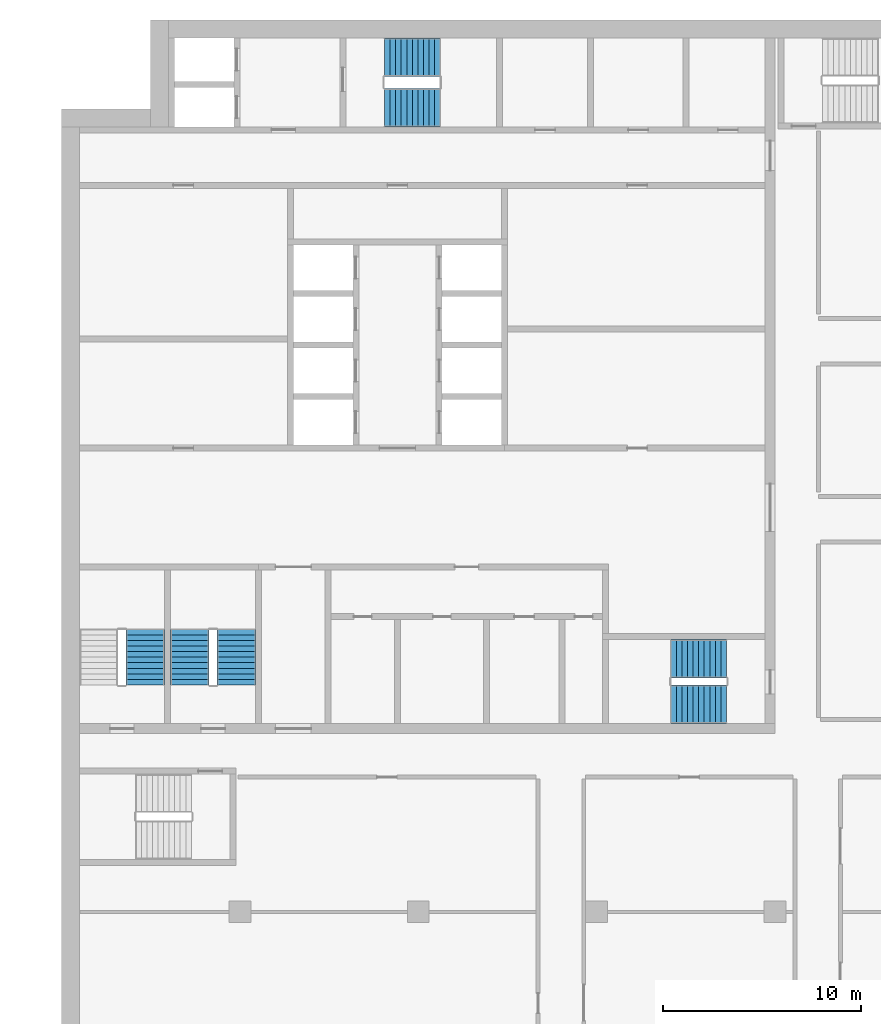
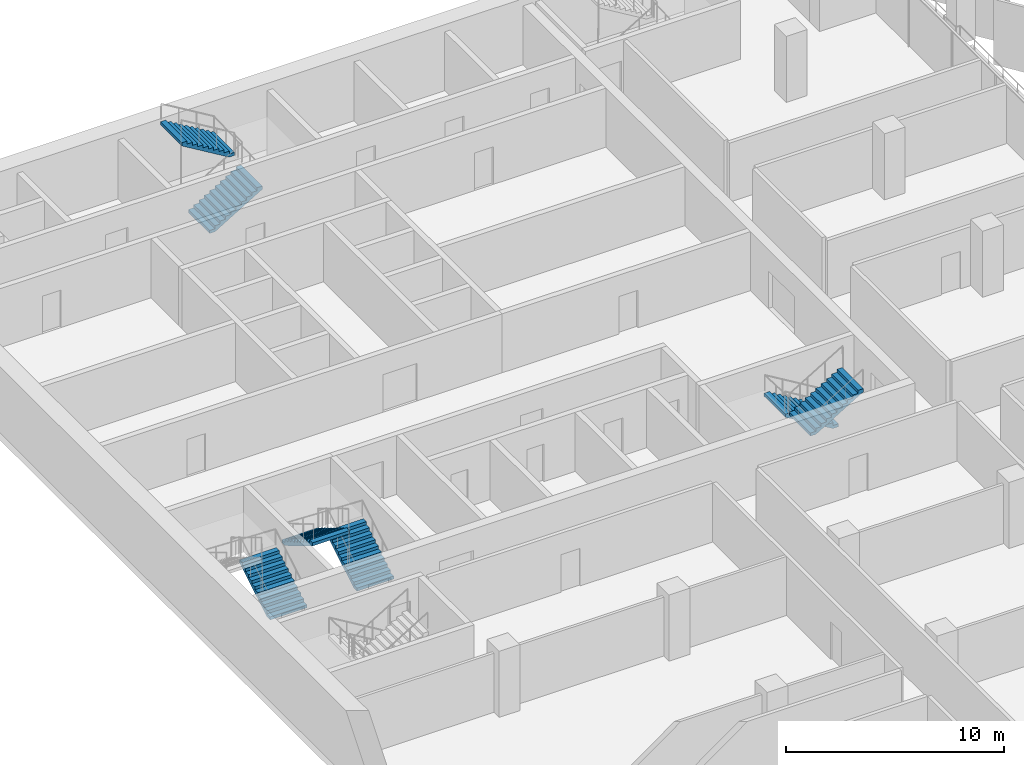
# One storey, part 12 of 17: 7 stair flights, 4 elements without a shape of their own.
"""IFC4 building model written with IfcOpenShell, lengths in metres."""

from ifc_helpers import new_model, si_unit, direction, frame, origin, place, context, subcontext, project, spatial, polyline, outline, extrude, material, type_object, element, aggregate, save


model = new_model("IFC4")

# Units and contexts
model_context = context("Model", 3, precision=1e-05, world=origin(), true_north=direction((0.0, 1.0)))
body_context = subcontext(model_context, "Body", "Model", "MODEL_VIEW")
ifc_project = project(units=[si_unit("LENGTHUNIT", "METRE"), si_unit("AREAUNIT", "SQUARE_METRE"), si_unit("VOLUMEUNIT", "CUBIC_METRE"), si_unit("PLANEANGLEUNIT", "RADIAN"), si_unit("MASSUNIT", "GRAM", prefix="KILO")], contexts=[model_context])

# Site, building, storey
site_placement = place(None, origin())
site = spatial("IfcSite", under=ifc_project, at=site_placement, CompositionType="ELEMENT")
building_placement = place(site_placement, origin())
building = spatial("IfcBuilding", under=site, at=building_placement, Name="Hunhe Ridgeline Campus", CompositionType="ELEMENT")
storey_placement = place(building_placement, frame((0.0, 0.0, 201.300048828125)))
storey = spatial("IfcBuildingStorey", under=building, at=storey_placement, Name="L51", CompositionType="ELEMENT", Elevation=201.300048828125)

# Stair, stair flights
ifc_material = material(Name="Concrete C40", Category="concrete")
stair_type = type_object("IfcStairType", Name="Reinforced concrete dog-leg stair 1950 Concrete C40", PredefinedType="HALF_TURN_STAIR", material=ifc_material)
stair_1_placement = place(storey_placement, origin())
stair_1 = element("IfcStair", 1, at=stair_1_placement, inside=storey, type_object=stair_type, Name="L51 S1", PredefinedType="HALF_TURN_STAIR")
stair_flight_type = type_object("IfcStairFlightType", Name="Reinforced concrete stair flight 1950 Concrete C40", PredefinedType="STRAIGHT", material=ifc_material)
stair_flight_1_placement = place(storey_placement, frame((16.300048828125, 94.574951171875, 0.0), z_axis=(0.0, 0.0, 1.0), x_axis=(1.0, 0.0, 0.0)))
stair_flight_1 = element("IfcStairFlight", 2, at=stair_flight_1_placement, type_object=stair_flight_type, Name="ST1 flight 1", NumberOfRisers=11, NumberOfTreads=10, PredefinedType="STRAIGHT", RiserHeight=0.168181818, TreadLength=0.28, context=body_context, shape_type="SweptSolid", body=[
    extrude(outline(polyline([(0.0, 0.0), (0.0, 0.168212890625), (0.280029296875, 0.168212890625), (0.280029296875, 0.33642578125), (0.56005859375, 0.33642578125), (0.56005859375, 0.504638671875), (0.840087890625, 0.504638671875), (0.840087890625, 0.672607421875), (1.1201171875, 0.672607421875), (1.1201171875, 0.8408203125), (1.39990234375, 0.8408203125), (1.39990234375, 1.009033203125), (1.679931640625, 1.009033203125), (1.679931640625, 1.17724609375), (1.9599609375, 1.17724609375), (1.9599609375, 1.345458984375), (2.239990234375, 1.345458984375), (2.239990234375, 1.513671875), (2.52001953125, 1.513671875), (2.52001953125, 1.681884765625), (2.800048828125, 1.681884765625), (2.800048828125, 1.85009765625), (2.800048828125, 1.5068359375), (0.291015625, 0.0), (0.0, 0.0)])), frame((0.0, 0.97509765625, 0.0), z_axis=(0.0, -1.0, 0.0), x_axis=(1.0, 0.0, 0.0)), (0.0, 0.0, 1.0), 1.949951171875),
    extrude(outline(polyline([(0.030029296875, 0.030029296875), (0.030029296875, 0.13818359375), (0.31005859375, 0.13818359375), (0.31005859375, 0.306396484375), (0.590087890625, 0.306396484375), (0.590087890625, 0.474609375), (0.8701171875, 0.474609375), (0.8701171875, 0.642578125), (1.14990234375, 0.642578125), (1.14990234375, 0.810791015625), (1.429931640625, 0.810791015625), (1.429931640625, 0.97900390625), (1.7099609375, 0.97900390625), (1.7099609375, 1.147216796875), (1.989990234375, 1.147216796875), (1.989990234375, 1.3154296875), (2.27001953125, 1.3154296875), (2.27001953125, 1.483642578125), (2.550048828125, 1.483642578125), (2.550048828125, 1.65185546875), (2.77001953125, 1.65185546875), (2.77001953125, 1.52392578125), (0.28271484375, 0.030029296875), (0.030029296875, 0.030029296875)])), frame((0.0, -0.070068359375, 0.0), z_axis=(0.0, -1.0, 0.0), x_axis=(1.0, 0.0, 0.0)), (0.0, 0.0, 1.0), 0.019775390625),
    extrude(outline(polyline([(0.030029296875, 0.030029296875), (0.030029296875, 0.13818359375), (0.31005859375, 0.13818359375), (0.31005859375, 0.306396484375), (0.590087890625, 0.306396484375), (0.590087890625, 0.474609375), (0.8701171875, 0.474609375), (0.8701171875, 0.642578125), (1.14990234375, 0.642578125), (1.14990234375, 0.810791015625), (1.429931640625, 0.810791015625), (1.429931640625, 0.97900390625), (1.7099609375, 0.97900390625), (1.7099609375, 1.147216796875), (1.989990234375, 1.147216796875), (1.989990234375, 1.3154296875), (2.27001953125, 1.3154296875), (2.27001953125, 1.483642578125), (2.550048828125, 1.483642578125), (2.550048828125, 1.65185546875), (2.77001953125, 1.65185546875), (2.77001953125, 1.52392578125), (0.28271484375, 0.030029296875), (0.030029296875, 0.030029296875)])), frame((0.0, 0.010009765625, 0.0), z_axis=(0.0, -1.0, 0.0), x_axis=(1.0, 0.0, 0.0)), (0.0, 0.0, 1.0), 0.019775390625),
    extrude(outline(polyline([(0.030029296875, 0.030029296875), (0.030029296875, 0.13818359375), (0.31005859375, 0.13818359375), (0.31005859375, 0.306396484375), (0.590087890625, 0.306396484375), (0.590087890625, 0.474609375), (0.8701171875, 0.474609375), (0.8701171875, 0.642578125), (1.14990234375, 0.642578125), (1.14990234375, 0.810791015625), (1.429931640625, 0.810791015625), (1.429931640625, 0.97900390625), (1.7099609375, 0.97900390625), (1.7099609375, 1.147216796875), (1.989990234375, 1.147216796875), (1.989990234375, 1.3154296875), (2.27001953125, 1.3154296875), (2.27001953125, 1.483642578125), (2.550048828125, 1.483642578125), (2.550048828125, 1.65185546875), (2.77001953125, 1.65185546875), (2.77001953125, 1.52392578125), (0.28271484375, 0.030029296875), (0.030029296875, 0.030029296875)])), frame((0.0, 0.090087890625, 0.0), z_axis=(0.0, -1.0, 0.0), x_axis=(1.0, 0.0, 0.0)), (0.0, 0.0, 1.0), 0.019775390625),
])
stair_flight_2_placement = place(storey_placement, frame((19.10009765625, 97.125, 1.849853515625), z_axis=(0.0, 0.0, 1.0), x_axis=(-1.0, 0.0, 0.0)))
stair_flight_2 = element("IfcStairFlight", 3, at=stair_flight_2_placement, type_object=stair_flight_type, Name="ST1 flight 2", NumberOfRisers=11, NumberOfTreads=10, PredefinedType="STRAIGHT", RiserHeight=0.168181818, TreadLength=0.28, context=body_context, shape_type="SweptSolid", body=[
    extrude(outline(polyline([(0.0, 0.0), (0.0, 0.168212890625), (0.280029296875, 0.168212890625), (0.280029296875, 0.33642578125), (0.56005859375, 0.33642578125), (0.56005859375, 0.504638671875), (0.840087890625, 0.504638671875), (0.840087890625, 0.672607421875), (1.1201171875, 0.672607421875), (1.1201171875, 0.8408203125), (1.39990234375, 0.8408203125), (1.39990234375, 1.009033203125), (1.679931640625, 1.009033203125), (1.679931640625, 1.17724609375), (1.9599609375, 1.17724609375), (1.9599609375, 1.345458984375), (2.239990234375, 1.345458984375), (2.239990234375, 1.513671875), (2.52001953125, 1.513671875), (2.52001953125, 1.681884765625), (2.800048828125, 1.681884765625), (2.800048828125, 1.85009765625), (2.800048828125, 1.5068359375), (0.291015625, 0.0), (0.0, 0.0)])), frame((0.0, 0.97509765625, 0.0), z_axis=(0.0, -1.0, 0.0), x_axis=(1.0, 0.0, 0.0)), (0.0, 0.0, 1.0), 1.949951171875),
    extrude(outline(polyline([(0.030029296875, 0.030029296875), (0.030029296875, 0.13818359375), (0.31005859375, 0.13818359375), (0.31005859375, 0.306396484375), (0.590087890625, 0.306396484375), (0.590087890625, 0.474609375), (0.8701171875, 0.474609375), (0.8701171875, 0.642578125), (1.14990234375, 0.642578125), (1.14990234375, 0.810791015625), (1.429931640625, 0.810791015625), (1.429931640625, 0.97900390625), (1.7099609375, 0.97900390625), (1.7099609375, 1.147216796875), (1.989990234375, 1.147216796875), (1.989990234375, 1.3154296875), (2.27001953125, 1.3154296875), (2.27001953125, 1.483642578125), (2.550048828125, 1.483642578125), (2.550048828125, 1.65185546875), (2.77001953125, 1.65185546875), (2.77001953125, 1.52392578125), (0.28271484375, 0.030029296875), (0.030029296875, 0.030029296875)])), frame((0.0, -0.070068359375, 0.0), z_axis=(0.0, -1.0, 0.0), x_axis=(1.0, 0.0, 0.0)), (0.0, 0.0, 1.0), 0.019775390625),
    extrude(outline(polyline([(0.030029296875, 0.030029296875), (0.030029296875, 0.13818359375), (0.31005859375, 0.13818359375), (0.31005859375, 0.306396484375), (0.590087890625, 0.306396484375), (0.590087890625, 0.474609375), (0.8701171875, 0.474609375), (0.8701171875, 0.642578125), (1.14990234375, 0.642578125), (1.14990234375, 0.810791015625), (1.429931640625, 0.810791015625), (1.429931640625, 0.97900390625), (1.7099609375, 0.97900390625), (1.7099609375, 1.147216796875), (1.989990234375, 1.147216796875), (1.989990234375, 1.3154296875), (2.27001953125, 1.3154296875), (2.27001953125, 1.483642578125), (2.550048828125, 1.483642578125), (2.550048828125, 1.65185546875), (2.77001953125, 1.65185546875), (2.77001953125, 1.52392578125), (0.28271484375, 0.030029296875), (0.030029296875, 0.030029296875)])), frame((0.0, 0.010009765625, 0.0), z_axis=(0.0, -1.0, 0.0), x_axis=(1.0, 0.0, 0.0)), (0.0, 0.0, 1.0), 0.019775390625),
    extrude(outline(polyline([(0.030029296875, 0.030029296875), (0.030029296875, 0.13818359375), (0.31005859375, 0.13818359375), (0.31005859375, 0.306396484375), (0.590087890625, 0.306396484375), (0.590087890625, 0.474609375), (0.8701171875, 0.474609375), (0.8701171875, 0.642578125), (1.14990234375, 0.642578125), (1.14990234375, 0.810791015625), (1.429931640625, 0.810791015625), (1.429931640625, 0.97900390625), (1.7099609375, 0.97900390625), (1.7099609375, 1.147216796875), (1.989990234375, 1.147216796875), (1.989990234375, 1.3154296875), (2.27001953125, 1.3154296875), (2.27001953125, 1.483642578125), (2.550048828125, 1.483642578125), (2.550048828125, 1.65185546875), (2.77001953125, 1.65185546875), (2.77001953125, 1.52392578125), (0.28271484375, 0.030029296875), (0.030029296875, 0.030029296875)])), frame((0.0, 0.090087890625, 0.0), z_axis=(0.0, -1.0, 0.0), x_axis=(1.0, 0.0, 0.0)), (0.0, 0.0, 1.0), 0.019775390625),
])
aggregate(stair_1, [stair_flight_1, stair_flight_2])

stair_2_placement = place(storey_placement, origin())
stair_2 = element("IfcStair", 4, at=stair_2_placement, inside=storey, type_object=stair_type, Name="L51 S2", PredefinedType="HALF_TURN_STAIR")
stair_flight_3_placement = place(storey_placement, frame((33.550048828125, 66.77490234375, 0.0), z_axis=(0.0, 0.0, 1.0), x_axis=(-1.0, 0.0, 0.0)))
stair_flight_3 = element("IfcStairFlight", 5, at=stair_flight_3_placement, type_object=stair_flight_type, Name="ST2 flight 1", NumberOfRisers=11, NumberOfTreads=10, PredefinedType="STRAIGHT", RiserHeight=0.168181818, TreadLength=0.28, context=body_context, shape_type="SweptSolid", body=[
    extrude(outline(polyline([(0.0, 0.0), (0.0, 0.168212890625), (0.280029296875, 0.168212890625), (0.280029296875, 0.33642578125), (0.56005859375, 0.33642578125), (0.56005859375, 0.504638671875), (0.840087890625, 0.504638671875), (0.840087890625, 0.672607421875), (1.1201171875, 0.672607421875), (1.1201171875, 0.8408203125), (1.39990234375, 0.8408203125), (1.39990234375, 1.009033203125), (1.679931640625, 1.009033203125), (1.679931640625, 1.17724609375), (1.9599609375, 1.17724609375), (1.9599609375, 1.345458984375), (2.239990234375, 1.345458984375), (2.239990234375, 1.513671875), (2.52001953125, 1.513671875), (2.52001953125, 1.681884765625), (2.800048828125, 1.681884765625), (2.800048828125, 1.85009765625), (2.800048828125, 1.5068359375), (0.291015625, 0.0), (0.0, 0.0)])), frame((0.0, 0.97509765625, 0.0), z_axis=(0.0, -1.0, 0.0), x_axis=(1.0, 0.0, 0.0)), (0.0, 0.0, 1.0), 1.949951171875),
    extrude(outline(polyline([(0.030029296875, 0.030029296875), (0.030029296875, 0.13818359375), (0.31005859375, 0.13818359375), (0.31005859375, 0.306396484375), (0.590087890625, 0.306396484375), (0.590087890625, 0.474609375), (0.8701171875, 0.474609375), (0.8701171875, 0.642578125), (1.14990234375, 0.642578125), (1.14990234375, 0.810791015625), (1.429931640625, 0.810791015625), (1.429931640625, 0.97900390625), (1.7099609375, 0.97900390625), (1.7099609375, 1.147216796875), (1.989990234375, 1.147216796875), (1.989990234375, 1.3154296875), (2.27001953125, 1.3154296875), (2.27001953125, 1.483642578125), (2.550048828125, 1.483642578125), (2.550048828125, 1.65185546875), (2.77001953125, 1.65185546875), (2.77001953125, 1.52392578125), (0.28271484375, 0.030029296875), (0.030029296875, 0.030029296875)])), frame((0.0, -0.070068359375, 0.0), z_axis=(0.0, -1.0, 0.0), x_axis=(1.0, 0.0, 0.0)), (0.0, 0.0, 1.0), 0.019775390625),
    extrude(outline(polyline([(0.030029296875, 0.030029296875), (0.030029296875, 0.13818359375), (0.31005859375, 0.13818359375), (0.31005859375, 0.306396484375), (0.590087890625, 0.306396484375), (0.590087890625, 0.474609375), (0.8701171875, 0.474609375), (0.8701171875, 0.642578125), (1.14990234375, 0.642578125), (1.14990234375, 0.810791015625), (1.429931640625, 0.810791015625), (1.429931640625, 0.97900390625), (1.7099609375, 0.97900390625), (1.7099609375, 1.147216796875), (1.989990234375, 1.147216796875), (1.989990234375, 1.3154296875), (2.27001953125, 1.3154296875), (2.27001953125, 1.483642578125), (2.550048828125, 1.483642578125), (2.550048828125, 1.65185546875), (2.77001953125, 1.65185546875), (2.77001953125, 1.52392578125), (0.28271484375, 0.030029296875), (0.030029296875, 0.030029296875)])), frame((0.0, 0.010009765625, 0.0), z_axis=(0.0, -1.0, 0.0), x_axis=(1.0, 0.0, 0.0)), (0.0, 0.0, 1.0), 0.019775390625),
    extrude(outline(polyline([(0.030029296875, 0.030029296875), (0.030029296875, 0.13818359375), (0.31005859375, 0.13818359375), (0.31005859375, 0.306396484375), (0.590087890625, 0.306396484375), (0.590087890625, 0.474609375), (0.8701171875, 0.474609375), (0.8701171875, 0.642578125), (1.14990234375, 0.642578125), (1.14990234375, 0.810791015625), (1.429931640625, 0.810791015625), (1.429931640625, 0.97900390625), (1.7099609375, 0.97900390625), (1.7099609375, 1.147216796875), (1.989990234375, 1.147216796875), (1.989990234375, 1.3154296875), (2.27001953125, 1.3154296875), (2.27001953125, 1.483642578125), (2.550048828125, 1.483642578125), (2.550048828125, 1.65185546875), (2.77001953125, 1.65185546875), (2.77001953125, 1.52392578125), (0.28271484375, 0.030029296875), (0.030029296875, 0.030029296875)])), frame((0.0, 0.090087890625, 0.0), z_axis=(0.0, -1.0, 0.0), x_axis=(1.0, 0.0, 0.0)), (0.0, 0.0, 1.0), 0.019775390625),
])
stair_flight_4_placement = place(storey_placement, frame((30.75, 64.47509765625, 1.849853515625), z_axis=(0.0, 0.0, 1.0), x_axis=(1.0, 0.0, 0.0)))
stair_flight_4 = element("IfcStairFlight", 6, at=stair_flight_4_placement, type_object=stair_flight_type, Name="ST2 flight 2", NumberOfRisers=11, NumberOfTreads=10, PredefinedType="STRAIGHT", RiserHeight=0.168181818, TreadLength=0.28, context=body_context, shape_type="SweptSolid", body=[
    extrude(outline(polyline([(0.0, 0.0), (0.0, 0.168212890625), (0.280029296875, 0.168212890625), (0.280029296875, 0.33642578125), (0.56005859375, 0.33642578125), (0.56005859375, 0.504638671875), (0.840087890625, 0.504638671875), (0.840087890625, 0.672607421875), (1.1201171875, 0.672607421875), (1.1201171875, 0.8408203125), (1.39990234375, 0.8408203125), (1.39990234375, 1.009033203125), (1.679931640625, 1.009033203125), (1.679931640625, 1.17724609375), (1.9599609375, 1.17724609375), (1.9599609375, 1.345458984375), (2.239990234375, 1.345458984375), (2.239990234375, 1.513671875), (2.52001953125, 1.513671875), (2.52001953125, 1.681884765625), (2.800048828125, 1.681884765625), (2.800048828125, 1.85009765625), (2.800048828125, 1.5068359375), (0.291015625, 0.0), (0.0, 0.0)])), frame((0.0, 0.97509765625, 0.0), z_axis=(0.0, -1.0, 0.0), x_axis=(1.0, 0.0, 0.0)), (0.0, 0.0, 1.0), 1.949951171875),
    extrude(outline(polyline([(0.030029296875, 0.030029296875), (0.030029296875, 0.13818359375), (0.31005859375, 0.13818359375), (0.31005859375, 0.306396484375), (0.590087890625, 0.306396484375), (0.590087890625, 0.474609375), (0.8701171875, 0.474609375), (0.8701171875, 0.642578125), (1.14990234375, 0.642578125), (1.14990234375, 0.810791015625), (1.429931640625, 0.810791015625), (1.429931640625, 0.97900390625), (1.7099609375, 0.97900390625), (1.7099609375, 1.147216796875), (1.989990234375, 1.147216796875), (1.989990234375, 1.3154296875), (2.27001953125, 1.3154296875), (2.27001953125, 1.483642578125), (2.550048828125, 1.483642578125), (2.550048828125, 1.65185546875), (2.77001953125, 1.65185546875), (2.77001953125, 1.52392578125), (0.28271484375, 0.030029296875), (0.030029296875, 0.030029296875)])), frame((0.0, -0.070068359375, 0.0), z_axis=(0.0, -1.0, 0.0), x_axis=(1.0, 0.0, 0.0)), (0.0, 0.0, 1.0), 0.019775390625),
    extrude(outline(polyline([(0.030029296875, 0.030029296875), (0.030029296875, 0.13818359375), (0.31005859375, 0.13818359375), (0.31005859375, 0.306396484375), (0.590087890625, 0.306396484375), (0.590087890625, 0.474609375), (0.8701171875, 0.474609375), (0.8701171875, 0.642578125), (1.14990234375, 0.642578125), (1.14990234375, 0.810791015625), (1.429931640625, 0.810791015625), (1.429931640625, 0.97900390625), (1.7099609375, 0.97900390625), (1.7099609375, 1.147216796875), (1.989990234375, 1.147216796875), (1.989990234375, 1.3154296875), (2.27001953125, 1.3154296875), (2.27001953125, 1.483642578125), (2.550048828125, 1.483642578125), (2.550048828125, 1.65185546875), (2.77001953125, 1.65185546875), (2.77001953125, 1.52392578125), (0.28271484375, 0.030029296875), (0.030029296875, 0.030029296875)])), frame((0.0, 0.010009765625, 0.0), z_axis=(0.0, -1.0, 0.0), x_axis=(1.0, 0.0, 0.0)), (0.0, 0.0, 1.0), 0.019775390625),
    extrude(outline(polyline([(0.030029296875, 0.030029296875), (0.030029296875, 0.13818359375), (0.31005859375, 0.13818359375), (0.31005859375, 0.306396484375), (0.590087890625, 0.306396484375), (0.590087890625, 0.474609375), (0.8701171875, 0.474609375), (0.8701171875, 0.642578125), (1.14990234375, 0.642578125), (1.14990234375, 0.810791015625), (1.429931640625, 0.810791015625), (1.429931640625, 0.97900390625), (1.7099609375, 0.97900390625), (1.7099609375, 1.147216796875), (1.989990234375, 1.147216796875), (1.989990234375, 1.3154296875), (2.27001953125, 1.3154296875), (2.27001953125, 1.483642578125), (2.550048828125, 1.483642578125), (2.550048828125, 1.65185546875), (2.77001953125, 1.65185546875), (2.77001953125, 1.52392578125), (0.28271484375, 0.030029296875), (0.030029296875, 0.030029296875)])), frame((0.0, 0.090087890625, 0.0), z_axis=(0.0, -1.0, 0.0), x_axis=(1.0, 0.0, 0.0)), (0.0, 0.0, 1.0), 0.019775390625),
])
aggregate(stair_2, [stair_flight_3, stair_flight_4])

# Stair, stair flight
stair_3_placement = place(storey_placement, origin())
stair_3 = element("IfcStair", 7, at=stair_3_placement, inside=storey, type_object=stair_type, Name="L51 S3", PredefinedType="HALF_TURN_STAIR")
stair_flight_5_placement = place(storey_placement, frame((4.22509765625, 65.449951171875, 0.0), z_axis=(0.0, 0.0, 1.0), x_axis=(0.0, 1.0, 0.0)))
stair_flight_5 = element("IfcStairFlight", 8, at=stair_flight_5_placement, type_object=stair_flight_type, Name="ST3 flight 1", NumberOfRisers=11, NumberOfTreads=10, PredefinedType="STRAIGHT", RiserHeight=0.168181818, TreadLength=0.28, context=body_context, shape_type="SweptSolid", body=[
    extrude(outline(polyline([(0.0, 0.0), (0.0, 0.168212890625), (0.280029296875, 0.168212890625), (0.280029296875, 0.33642578125), (0.56005859375, 0.33642578125), (0.56005859375, 0.504638671875), (0.840087890625, 0.504638671875), (0.840087890625, 0.672607421875), (1.1201171875, 0.672607421875), (1.1201171875, 0.8408203125), (1.39990234375, 0.8408203125), (1.39990234375, 1.009033203125), (1.679931640625, 1.009033203125), (1.679931640625, 1.17724609375), (1.9599609375, 1.17724609375), (1.9599609375, 1.345458984375), (2.239990234375, 1.345458984375), (2.239990234375, 1.513671875), (2.52001953125, 1.513671875), (2.52001953125, 1.681884765625), (2.800048828125, 1.681884765625), (2.800048828125, 1.85009765625), (2.800048828125, 1.5068359375), (0.291015625, 0.0), (0.0, 0.0)])), frame((0.0, 0.97509765625, 0.0), z_axis=(0.0, -1.0, 0.0), x_axis=(1.0, 0.0, 0.0)), (0.0, 0.0, 1.0), 1.949951171875),
    extrude(outline(polyline([(0.030029296875, 0.030029296875), (0.030029296875, 0.13818359375), (0.31005859375, 0.13818359375), (0.31005859375, 0.306396484375), (0.590087890625, 0.306396484375), (0.590087890625, 0.474609375), (0.8701171875, 0.474609375), (0.8701171875, 0.642578125), (1.14990234375, 0.642578125), (1.14990234375, 0.810791015625), (1.429931640625, 0.810791015625), (1.429931640625, 0.97900390625), (1.7099609375, 0.97900390625), (1.7099609375, 1.147216796875), (1.989990234375, 1.147216796875), (1.989990234375, 1.3154296875), (2.27001953125, 1.3154296875), (2.27001953125, 1.483642578125), (2.550048828125, 1.483642578125), (2.550048828125, 1.65185546875), (2.77001953125, 1.65185546875), (2.77001953125, 1.52392578125), (0.28271484375, 0.030029296875), (0.030029296875, 0.030029296875)])), frame((0.0, -0.070068359375, 0.0), z_axis=(0.0, -1.0, 0.0), x_axis=(1.0, 0.0, 0.0)), (0.0, 0.0, 1.0), 0.019775390625),
    extrude(outline(polyline([(0.030029296875, 0.030029296875), (0.030029296875, 0.13818359375), (0.31005859375, 0.13818359375), (0.31005859375, 0.306396484375), (0.590087890625, 0.306396484375), (0.590087890625, 0.474609375), (0.8701171875, 0.474609375), (0.8701171875, 0.642578125), (1.14990234375, 0.642578125), (1.14990234375, 0.810791015625), (1.429931640625, 0.810791015625), (1.429931640625, 0.97900390625), (1.7099609375, 0.97900390625), (1.7099609375, 1.147216796875), (1.989990234375, 1.147216796875), (1.989990234375, 1.3154296875), (2.27001953125, 1.3154296875), (2.27001953125, 1.483642578125), (2.550048828125, 1.483642578125), (2.550048828125, 1.65185546875), (2.77001953125, 1.65185546875), (2.77001953125, 1.52392578125), (0.28271484375, 0.030029296875), (0.030029296875, 0.030029296875)])), frame((0.0, 0.010009765625, 0.0), z_axis=(0.0, -1.0, 0.0), x_axis=(1.0, 0.0, 0.0)), (0.0, 0.0, 1.0), 0.019775390625),
    extrude(outline(polyline([(0.030029296875, 0.030029296875), (0.030029296875, 0.13818359375), (0.31005859375, 0.13818359375), (0.31005859375, 0.306396484375), (0.590087890625, 0.306396484375), (0.590087890625, 0.474609375), (0.8701171875, 0.474609375), (0.8701171875, 0.642578125), (1.14990234375, 0.642578125), (1.14990234375, 0.810791015625), (1.429931640625, 0.810791015625), (1.429931640625, 0.97900390625), (1.7099609375, 0.97900390625), (1.7099609375, 1.147216796875), (1.989990234375, 1.147216796875), (1.989990234375, 1.3154296875), (2.27001953125, 1.3154296875), (2.27001953125, 1.483642578125), (2.550048828125, 1.483642578125), (2.550048828125, 1.65185546875), (2.77001953125, 1.65185546875), (2.77001953125, 1.52392578125), (0.28271484375, 0.030029296875), (0.030029296875, 0.030029296875)])), frame((0.0, 0.090087890625, 0.0), z_axis=(0.0, -1.0, 0.0), x_axis=(1.0, 0.0, 0.0)), (0.0, 0.0, 1.0), 0.019775390625),
])
aggregate(stair_3, [stair_flight_5])

# Stair, stair flights
stair_4_placement = place(storey_placement, origin())
stair_4 = element("IfcStair", 9, at=stair_4_placement, inside=storey, type_object=stair_type, Name="L51 S4", PredefinedType="HALF_TURN_STAIR")
stair_flight_6_placement = place(storey_placement, frame((8.824951171875, 65.449951171875, 0.0), z_axis=(0.0, 0.0, 1.0), x_axis=(0.0, 1.0, 0.0)))
stair_flight_6 = element("IfcStairFlight", 10, at=stair_flight_6_placement, type_object=stair_flight_type, Name="ST4 flight 1", NumberOfRisers=11, NumberOfTreads=10, PredefinedType="STRAIGHT", RiserHeight=0.168181818, TreadLength=0.28, context=body_context, shape_type="SweptSolid", body=[
    extrude(outline(polyline([(0.0, 0.0), (0.0, 0.168212890625), (0.280029296875, 0.168212890625), (0.280029296875, 0.33642578125), (0.56005859375, 0.33642578125), (0.56005859375, 0.504638671875), (0.840087890625, 0.504638671875), (0.840087890625, 0.672607421875), (1.1201171875, 0.672607421875), (1.1201171875, 0.8408203125), (1.39990234375, 0.8408203125), (1.39990234375, 1.009033203125), (1.679931640625, 1.009033203125), (1.679931640625, 1.17724609375), (1.9599609375, 1.17724609375), (1.9599609375, 1.345458984375), (2.239990234375, 1.345458984375), (2.239990234375, 1.513671875), (2.52001953125, 1.513671875), (2.52001953125, 1.681884765625), (2.800048828125, 1.681884765625), (2.800048828125, 1.85009765625), (2.800048828125, 1.5068359375), (0.291015625, 0.0), (0.0, 0.0)])), frame((0.0, 0.97509765625, 0.0), z_axis=(0.0, -1.0, 0.0), x_axis=(1.0, 0.0, 0.0)), (0.0, 0.0, 1.0), 1.949951171875),
    extrude(outline(polyline([(0.030029296875, 0.030029296875), (0.030029296875, 0.13818359375), (0.31005859375, 0.13818359375), (0.31005859375, 0.306396484375), (0.590087890625, 0.306396484375), (0.590087890625, 0.474609375), (0.8701171875, 0.474609375), (0.8701171875, 0.642578125), (1.14990234375, 0.642578125), (1.14990234375, 0.810791015625), (1.429931640625, 0.810791015625), (1.429931640625, 0.97900390625), (1.7099609375, 0.97900390625), (1.7099609375, 1.147216796875), (1.989990234375, 1.147216796875), (1.989990234375, 1.3154296875), (2.27001953125, 1.3154296875), (2.27001953125, 1.483642578125), (2.550048828125, 1.483642578125), (2.550048828125, 1.65185546875), (2.77001953125, 1.65185546875), (2.77001953125, 1.52392578125), (0.28271484375, 0.030029296875), (0.030029296875, 0.030029296875)])), frame((0.0, -0.070068359375, 0.0), z_axis=(0.0, -1.0, 0.0), x_axis=(1.0, 0.0, 0.0)), (0.0, 0.0, 1.0), 0.019775390625),
    extrude(outline(polyline([(0.030029296875, 0.030029296875), (0.030029296875, 0.13818359375), (0.31005859375, 0.13818359375), (0.31005859375, 0.306396484375), (0.590087890625, 0.306396484375), (0.590087890625, 0.474609375), (0.8701171875, 0.474609375), (0.8701171875, 0.642578125), (1.14990234375, 0.642578125), (1.14990234375, 0.810791015625), (1.429931640625, 0.810791015625), (1.429931640625, 0.97900390625), (1.7099609375, 0.97900390625), (1.7099609375, 1.147216796875), (1.989990234375, 1.147216796875), (1.989990234375, 1.3154296875), (2.27001953125, 1.3154296875), (2.27001953125, 1.483642578125), (2.550048828125, 1.483642578125), (2.550048828125, 1.65185546875), (2.77001953125, 1.65185546875), (2.77001953125, 1.52392578125), (0.28271484375, 0.030029296875), (0.030029296875, 0.030029296875)])), frame((0.0, 0.010009765625, 0.0), z_axis=(0.0, -1.0, 0.0), x_axis=(1.0, 0.0, 0.0)), (0.0, 0.0, 1.0), 0.019775390625),
    extrude(outline(polyline([(0.030029296875, 0.030029296875), (0.030029296875, 0.13818359375), (0.31005859375, 0.13818359375), (0.31005859375, 0.306396484375), (0.590087890625, 0.306396484375), (0.590087890625, 0.474609375), (0.8701171875, 0.474609375), (0.8701171875, 0.642578125), (1.14990234375, 0.642578125), (1.14990234375, 0.810791015625), (1.429931640625, 0.810791015625), (1.429931640625, 0.97900390625), (1.7099609375, 0.97900390625), (1.7099609375, 1.147216796875), (1.989990234375, 1.147216796875), (1.989990234375, 1.3154296875), (2.27001953125, 1.3154296875), (2.27001953125, 1.483642578125), (2.550048828125, 1.483642578125), (2.550048828125, 1.65185546875), (2.77001953125, 1.65185546875), (2.77001953125, 1.52392578125), (0.28271484375, 0.030029296875), (0.030029296875, 0.030029296875)])), frame((0.0, 0.090087890625, 0.0), z_axis=(0.0, -1.0, 0.0), x_axis=(1.0, 0.0, 0.0)), (0.0, 0.0, 1.0), 0.019775390625),
])
stair_flight_7_placement = place(storey_placement, frame((6.47509765625, 68.25, 1.849853515625), z_axis=(0.0, 0.0, 1.0), x_axis=(0.0, -1.0, 0.0)))
stair_flight_7 = element("IfcStairFlight", 11, at=stair_flight_7_placement, type_object=stair_flight_type, Name="ST4 flight 2", NumberOfRisers=11, NumberOfTreads=10, PredefinedType="STRAIGHT", RiserHeight=0.168181818, TreadLength=0.28, context=body_context, shape_type="SweptSolid", body=[
    extrude(outline(polyline([(0.0, 0.0), (0.0, 0.168212890625), (0.280029296875, 0.168212890625), (0.280029296875, 0.33642578125), (0.56005859375, 0.33642578125), (0.56005859375, 0.504638671875), (0.840087890625, 0.504638671875), (0.840087890625, 0.672607421875), (1.1201171875, 0.672607421875), (1.1201171875, 0.8408203125), (1.39990234375, 0.8408203125), (1.39990234375, 1.009033203125), (1.679931640625, 1.009033203125), (1.679931640625, 1.17724609375), (1.9599609375, 1.17724609375), (1.9599609375, 1.345458984375), (2.239990234375, 1.345458984375), (2.239990234375, 1.513671875), (2.52001953125, 1.513671875), (2.52001953125, 1.681884765625), (2.800048828125, 1.681884765625), (2.800048828125, 1.85009765625), (2.800048828125, 1.5068359375), (0.291015625, 0.0), (0.0, 0.0)])), frame((0.0, 0.97509765625, 0.0), z_axis=(0.0, -1.0, 0.0), x_axis=(1.0, 0.0, 0.0)), (0.0, 0.0, 1.0), 1.949951171875),
    extrude(outline(polyline([(0.030029296875, 0.030029296875), (0.030029296875, 0.13818359375), (0.31005859375, 0.13818359375), (0.31005859375, 0.306396484375), (0.590087890625, 0.306396484375), (0.590087890625, 0.474609375), (0.8701171875, 0.474609375), (0.8701171875, 0.642578125), (1.14990234375, 0.642578125), (1.14990234375, 0.810791015625), (1.429931640625, 0.810791015625), (1.429931640625, 0.97900390625), (1.7099609375, 0.97900390625), (1.7099609375, 1.147216796875), (1.989990234375, 1.147216796875), (1.989990234375, 1.3154296875), (2.27001953125, 1.3154296875), (2.27001953125, 1.483642578125), (2.550048828125, 1.483642578125), (2.550048828125, 1.65185546875), (2.77001953125, 1.65185546875), (2.77001953125, 1.52392578125), (0.28271484375, 0.030029296875), (0.030029296875, 0.030029296875)])), frame((0.0, -0.070068359375, 0.0), z_axis=(0.0, -1.0, 0.0), x_axis=(1.0, 0.0, 0.0)), (0.0, 0.0, 1.0), 0.019775390625),
    extrude(outline(polyline([(0.030029296875, 0.030029296875), (0.030029296875, 0.13818359375), (0.31005859375, 0.13818359375), (0.31005859375, 0.306396484375), (0.590087890625, 0.306396484375), (0.590087890625, 0.474609375), (0.8701171875, 0.474609375), (0.8701171875, 0.642578125), (1.14990234375, 0.642578125), (1.14990234375, 0.810791015625), (1.429931640625, 0.810791015625), (1.429931640625, 0.97900390625), (1.7099609375, 0.97900390625), (1.7099609375, 1.147216796875), (1.989990234375, 1.147216796875), (1.989990234375, 1.3154296875), (2.27001953125, 1.3154296875), (2.27001953125, 1.483642578125), (2.550048828125, 1.483642578125), (2.550048828125, 1.65185546875), (2.77001953125, 1.65185546875), (2.77001953125, 1.52392578125), (0.28271484375, 0.030029296875), (0.030029296875, 0.030029296875)])), frame((0.0, 0.010009765625, 0.0), z_axis=(0.0, -1.0, 0.0), x_axis=(1.0, 0.0, 0.0)), (0.0, 0.0, 1.0), 0.019775390625),
    extrude(outline(polyline([(0.030029296875, 0.030029296875), (0.030029296875, 0.13818359375), (0.31005859375, 0.13818359375), (0.31005859375, 0.306396484375), (0.590087890625, 0.306396484375), (0.590087890625, 0.474609375), (0.8701171875, 0.474609375), (0.8701171875, 0.642578125), (1.14990234375, 0.642578125), (1.14990234375, 0.810791015625), (1.429931640625, 0.810791015625), (1.429931640625, 0.97900390625), (1.7099609375, 0.97900390625), (1.7099609375, 1.147216796875), (1.989990234375, 1.147216796875), (1.989990234375, 1.3154296875), (2.27001953125, 1.3154296875), (2.27001953125, 1.483642578125), (2.550048828125, 1.483642578125), (2.550048828125, 1.65185546875), (2.77001953125, 1.65185546875), (2.77001953125, 1.52392578125), (0.28271484375, 0.030029296875), (0.030029296875, 0.030029296875)])), frame((0.0, 0.090087890625, 0.0), z_axis=(0.0, -1.0, 0.0), x_axis=(1.0, 0.0, 0.0)), (0.0, 0.0, 1.0), 0.019775390625),
])
aggregate(stair_4, [stair_flight_6, stair_flight_7])

save(model, "model.ifc")
